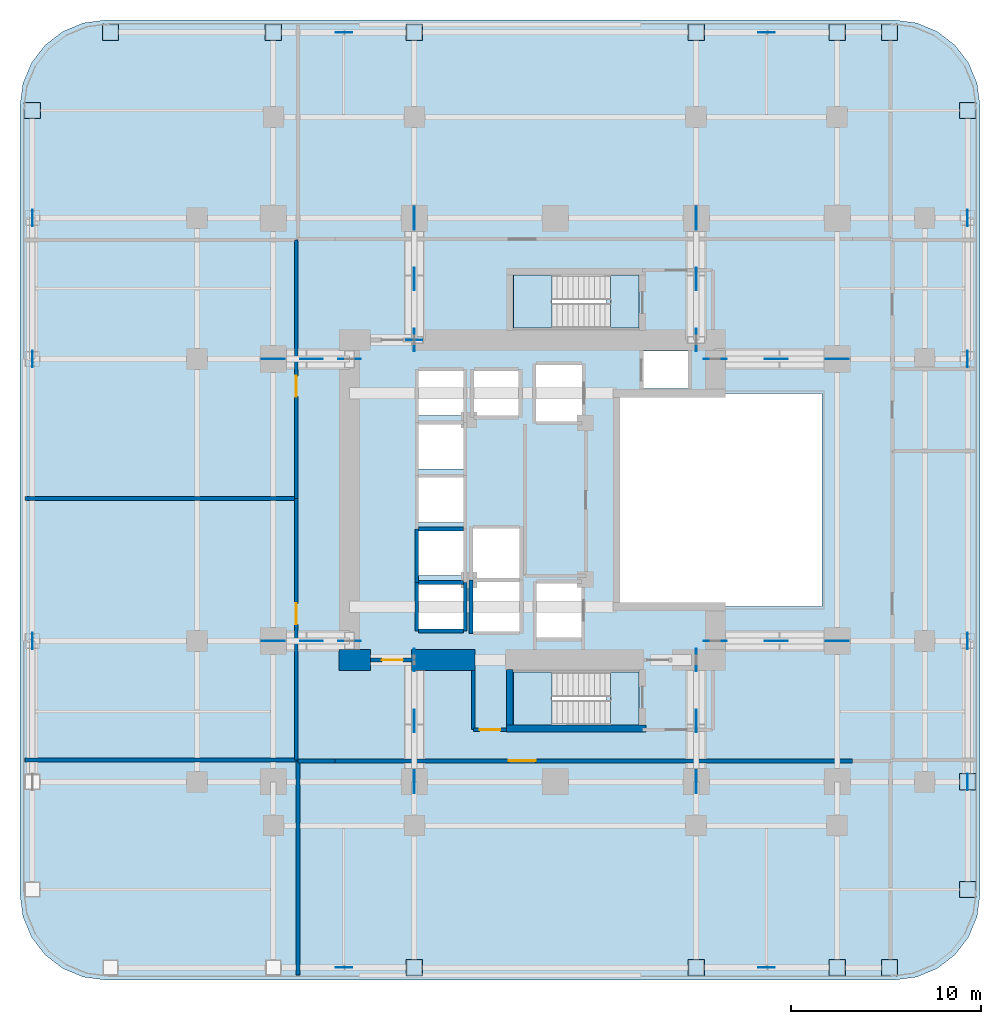
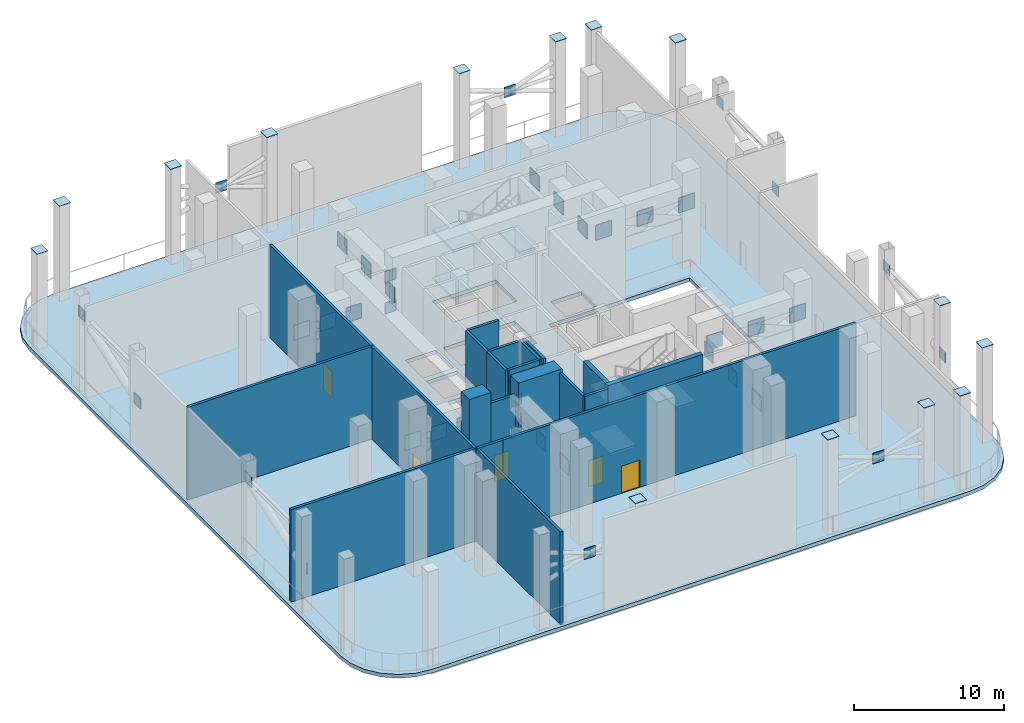
# One storey, part 4 of 11: 53 plates, 21 walls, 7 slabs, 5 doors, 5 openings, 2 elements without a shape of their own.
"""IFC4 building model written with IfcOpenShell, lengths in metres."""

from ifc_helpers import new_model, si_unit, direction, frame, frame_2d, origin, origin_2d, place, context, subcontext, project, spatial, polyline, rectangle, outline, extrude, material, layer, layer_set, type_object, element, fill, aggregate, save


model = new_model("IFC4")

# Units and contexts
model_context = context("Model", 3, precision=1e-05, world=origin(), true_north=direction((0.0, 1.0)))
body_context = subcontext(model_context, "Body", "Model", "MODEL_VIEW")
ifc_project = project(units=[si_unit("LENGTHUNIT", "METRE"), si_unit("AREAUNIT", "SQUARE_METRE"), si_unit("VOLUMEUNIT", "CUBIC_METRE"), si_unit("PLANEANGLEUNIT", "RADIAN"), si_unit("MASSUNIT", "GRAM", prefix="KILO")], contexts=[model_context])

# Site, building, storey
site_placement = place(None, origin())
site = spatial("IfcSite", under=ifc_project, at=site_placement, CompositionType="ELEMENT")
building_placement = place(site_placement, origin())
building = spatial("IfcBuilding", under=site, at=building_placement, Name="Khorvyn Point Tower", CompositionType="ELEMENT")
storey_placement = place(building_placement, frame((0.0, 0.0, 77.39990234375)))
storey = spatial("IfcBuildingStorey", under=building, at=storey_placement, Name="L20", CompositionType="ELEMENT", Elevation=77.39990234375)

# Stair, slabs
ifc_material_1 = material(Name="Concrete C40/50", Category="concrete")
stair_type = type_object("IfcStairType", Name="Tower Concrete C40/50 Dogleg Exit Stair", PredefinedType="HALF_TURN_STAIR", material=ifc_material_1)
stair_1_placement = place(storey_placement, origin())
stair_1 = element("IfcStair", 1, at=stair_1_placement, inside=storey, type_object=stair_type, Name="L20 Tower Smokeproof Exit Stair South", PredefinedType="HALF_TURN_STAIR")
ifc_layer_1 = layer(ifc_material_1, 0.199951171875)
ifc_layer_set_1 = layer_set([ifc_layer_1], Name="Concrete C40/50 Stair Landing Slab 200")
slab_type_1 = type_object("IfcSlabType", Name="Concrete C40/50 Stair Landing Slab 200", PredefinedType="LANDING", material=ifc_layer_set_1)
slab_1_placement = place(storey_placement, frame((0.0, 0.0, 1.75)))
slab_1 = element("IfcSlab", 2, at=slab_1_placement, type_object=slab_type_1, Name="ST-01 landing 1", PredefinedType="LANDING", context=body_context, shape_type="SweptSolid", body=[
    extrude(outline(polyline([(-0.179931640625, -9.02001953125), (-2.199951171875, -9.02001953125), (-2.199951171875, -11.820068359375), (-0.179931640625, -11.820068359375), (-0.179931640625, -9.02001953125)])), origin(), (0.0, 0.0, 1.0), 0.2001953125),
])
slab_2_placement = place(storey_placement, frame((0.0, 0.0, 3.7001953125)))
slab_2 = element("IfcSlab", 3, at=slab_2_placement, type_object=slab_type_1, Name="ST-01 landing 2", PredefinedType="LANDING", context=body_context, shape_type="SweptSolid", body=[
    extrude(outline(polyline([(4.39990234375, -9.02001953125), (2.89990234375, -9.02001953125), (2.89990234375, -11.820068359375), (4.39990234375, -11.820068359375), (4.39990234375, -9.02001953125)])), origin(), (0.0, 0.0, 1.0), 0.199951171875),
])
slab_3_placement = place(storey_placement, frame((0.0, 0.0, 5.650146484375)))
slab_3 = element("IfcSlab", 4, at=slab_3_placement, type_object=slab_type_1, Name="ST-01 landing 3", PredefinedType="LANDING", context=body_context, shape_type="SweptSolid", body=[
    extrude(outline(polyline([(-0.179931640625, -9.02001953125), (-2.199951171875, -9.02001953125), (-2.199951171875, -11.820068359375), (-0.179931640625, -11.820068359375), (-0.179931640625, -9.02001953125)])), origin(), (0.0, 0.0, 1.0), 0.199951171875),
])
aggregate(stair_1, [slab_1, slab_2, slab_3])

stair_2_placement = place(storey_placement, origin())
stair_2 = element("IfcStair", 5, at=stair_2_placement, inside=storey, type_object=stair_type, Name="L20 Tower Smokeproof Exit Stair North", PredefinedType="HALF_TURN_STAIR")
slab_4_placement = place(storey_placement, frame((0.0, 0.0, 1.75)))
slab_4 = element("IfcSlab", 6, at=slab_4_placement, type_object=slab_type_1, Name="ST-02 landing 1", PredefinedType="LANDING", context=body_context, shape_type="SweptSolid", body=[
    extrude(outline(polyline([(-0.179931640625, 11.820068359375), (-2.199951171875, 11.820068359375), (-2.199951171875, 9.02001953125), (-0.179931640625, 9.02001953125), (-0.179931640625, 11.820068359375)])), origin(), (0.0, 0.0, 1.0), 0.2001953125),
])
slab_5_placement = place(storey_placement, frame((0.0, 0.0, 3.7001953125)))
slab_5 = element("IfcSlab", 7, at=slab_5_placement, type_object=slab_type_1, Name="ST-02 landing 2", PredefinedType="LANDING", context=body_context, shape_type="SweptSolid", body=[
    extrude(outline(polyline([(4.39990234375, 11.820068359375), (2.89990234375, 11.820068359375), (2.89990234375, 9.02001953125), (4.39990234375, 9.02001953125), (4.39990234375, 11.820068359375)])), origin(), (0.0, 0.0, 1.0), 0.199951171875),
])
slab_6_placement = place(storey_placement, frame((0.0, 0.0, 5.650146484375)))
slab_6 = element("IfcSlab", 8, at=slab_6_placement, type_object=slab_type_1, Name="ST-02 landing 3", PredefinedType="LANDING", context=body_context, shape_type="SweptSolid", body=[
    extrude(outline(polyline([(-0.179931640625, 11.820068359375), (-2.199951171875, 11.820068359375), (-2.199951171875, 9.02001953125), (-0.179931640625, 9.02001953125), (-0.179931640625, 11.820068359375)])), origin(), (0.0, 0.0, 1.0), 0.199951171875),
])
aggregate(stair_2, [slab_4, slab_5, slab_6])

# Slab
ifc_layer_2 = layer(ifc_material_1, 0.300048828125)
ifc_layer_set_2 = layer_set([ifc_layer_2], Name="Concrete C40/50 Structural Floor Slab 300")
slab_type_2 = type_object("IfcSlabType", Name="Concrete C40/50 Structural Floor Slab 300", PredefinedType="FLOOR", material=ifc_layer_set_2)
slab_7_placement = place(storey_placement, frame((0.0, 0.0, -0.2998046875)))
element("IfcSlab", 9, at=slab_7_placement, inside=storey, type_object=slab_type_2, Name="L20 Main Structural Floor Slab", PredefinedType="FLOOR", context=body_context, shape_type="SweptSolid", body=[
    extrude(outline(polyline([(-23.60009765625, -25.199951171875), (-24.7646484375, -25.046630859375), (-25.85009765625, -24.59716796875), (-26.781982421875, -23.882080078125), (-27.4970703125, -22.949951171875), (-27.94677734375, -21.86474609375), (-28.10009765625, -20.699951171875), (-28.10009765625, 20.699951171875), (-27.94677734375, 21.86474609375), (-27.4970703125, 22.949951171875), (-26.781982421875, 23.882080078125), (-25.85009765625, 24.59716796875), (-24.7646484375, 25.046630859375), (-23.60009765625, 25.199951171875), (17.800048828125, 25.199951171875), (18.964599609375, 25.046630859375), (20.050048828125, 24.59716796875), (20.98193359375, 23.882080078125), (21.697021484375, 22.949951171875), (22.146728515625, 21.86474609375), (22.300048828125, 20.699951171875), (22.300048828125, -20.699951171875), (22.146728515625, -21.86474609375), (21.697021484375, -22.949951171875), (20.98193359375, -23.882080078125), (20.050048828125, -24.59716796875), (18.964599609375, -25.046630859375), (17.800048828125, -25.199951171875), (-23.60009765625, -25.199951171875)]), holes=[polyline([(-4.824951171875, -6.77490234375), (-4.824951171875, -4.425048828125), (-7.175048828125, -4.425048828125), (-7.175048828125, -6.77490234375), (-4.824951171875, -6.77490234375)]), polyline([(-4.324951171875, -6.89990234375), (-1.875, -6.89990234375), (-1.875, -4.300048828125), (-4.324951171875, -4.300048828125), (-4.324951171875, -6.89990234375)]), polyline([(-7.175048828125, -3.97509765625), (-4.824951171875, -3.97509765625), (-4.824951171875, -1.625), (-7.175048828125, -1.625), (-7.175048828125, -3.97509765625)]), polyline([(-7.175048828125, -1.175048828125), (-4.824951171875, -1.175048828125), (-4.824951171875, 1.175048828125), (-7.175048828125, 1.175048828125), (-7.175048828125, -1.175048828125)]), polyline([(-7.175048828125, 1.625), (-4.824951171875, 1.625), (-4.824951171875, 3.97509765625), (-7.175048828125, 3.97509765625), (-7.175048828125, 1.625)]), polyline([(-7.175048828125, 4.425048828125), (-4.824951171875, 4.425048828125), (-4.824951171875, 6.77490234375), (-7.175048828125, 6.77490234375), (-7.175048828125, 4.425048828125)]), polyline([(-4.27490234375, 4.425048828125), (-1.925048828125, 4.425048828125), (-1.925048828125, 6.77490234375), (-4.27490234375, 6.77490234375), (-4.27490234375, 4.425048828125)]), polyline([(2.679931640625, -11.820068359375), (2.679931640625, -9.02001953125), (-2.199951171875, -9.02001953125), (-2.199951171875, -11.820068359375), (2.679931640625, -11.820068359375)]), polyline([(-0.97509765625, -7.22509765625), (1.375, -7.22509765625), (1.375, -4.375), (-0.97509765625, -4.375), (-0.97509765625, -7.22509765625)]), polyline([(-4.324951171875, -4.10009765625), (-1.875, -4.10009765625), (-1.875, -1.5), (-4.324951171875, -1.5), (-4.324951171875, -4.10009765625)]), polyline([(3.199951171875, -5.60009765625), (14.0, -5.60009765625), (14.0, 5.60009765625), (3.199951171875, 5.60009765625), (3.199951171875, -5.60009765625)]), polyline([(-1.0, 4.125), (1.39990234375, 4.125), (1.39990234375, 7.074951171875), (-1.0, 7.074951171875), (-1.0, 4.125)]), polyline([(4.625, 5.85009765625), (6.97509765625, 5.85009765625), (6.97509765625, 7.830078125), (4.625, 7.830078125), (4.625, 5.85009765625)]), polyline([(-2.199951171875, 9.02001953125), (2.679931640625, 9.02001953125), (2.679931640625, 11.820068359375), (-2.199951171875, 11.820068359375), (-2.199951171875, 9.02001953125)])]), origin(), (0.0, 0.0, 1.0), 0.2998046875),
])

# Plates
ifc_material_2 = material(Name="Steel S450", Category="steel")
ifc_layer_3 = layer(ifc_material_2, 0.031982421875)
ifc_layer_set_3 = layer_set([ifc_layer_3], Name="Steel S450 Exoskeleton End Cap Plate 32")
plate_type_1 = type_object("IfcPlateType", Name="Steel S450 Exoskeleton End Cap Plate 32", PredefinedType="USERDEFINED", material=ifc_layer_set_3)
for number, where, z_axis, x_axis, name in (
    (10, (-11.10009765625, -24.550048828125, 4.30517578125), (0.0, 0.0, 1.0), (1.0, 0.0, 0.0), "NP-BT-L20-S1-M"),
    (11, (-11.10009765625, 24.550048828125, 4.30517578125), (0.0, 0.0, 1.0), (1.0, 0.0, 0.0), "NP-BT-L20-N1-M"),
    (12, (11.10009765625, -24.550048828125, 4.30517578125), (0.0, 0.0, 1.0), (1.0, 0.0, 0.0), "NP-BT-L20-S2-M"),
    (13, (11.10009765625, 24.550048828125, 4.30517578125), (0.0, 0.0, 1.0), (1.0, 0.0, 0.0), "NP-BT-L20-N2-M"),
):
    element("IfcPlate", number, at=place(storey_placement, frame(where, z_axis=z_axis, x_axis=x_axis)), inside=storey, type_object=plate_type_1, Name=name, ObjectType="GUSSET", PredefinedType="USERDEFINED", context=body_context, shape_type="SweptSolid", body=[
        extrude(rectangle(XDim=0.860107421875, YDim=0.031982421875, at=origin_2d()), origin(), (0.0, 0.0, 1.0), 0.860107421875),
    ])
for number, where, z_axis, x_axis, name in (
    (14, (-27.449951171875, -7.39990234375, 5.58984375), (0.0, 0.0, 1.0), (1.0, 0.0, 0.0), "NP-EXO-L20-W1"),
    (15, (21.64990234375, -7.39990234375, 5.58984375), (0.0, 0.0, 1.0), (1.0, 0.0, 0.0), "NP-EXO-L20-E1"),
    (16, (21.64990234375, -14.800048828125, 3.02001953125), (0.0, 0.0, 1.0), (1.0, 0.0, 0.0), "NP-EXO-BOT-L20-E1"),
    (17, (-27.449951171875, 14.800048828125, 5.58984375), (0.0, 0.0, 1.0), (1.0, 0.0, 0.0), "NP-EXO-L20-W2"),
    (18, (-27.449951171875, 7.39990234375, 3.02001953125), (0.0, 0.0, 1.0), (1.0, 0.0, 0.0), "NP-EXO-BOT-L20-W2"),
    (19, (21.64990234375, 14.800048828125, 5.58984375), (0.0, 0.0, 1.0), (1.0, 0.0, 0.0), "NP-EXO-L20-E2"),
    (20, (21.64990234375, 7.39990234375, 3.02001953125), (0.0, 0.0, 1.0), (1.0, 0.0, 0.0), "NP-EXO-BOT-L20-E2"),
):
    element("IfcPlate", number, at=place(storey_placement, frame(where, z_axis=z_axis, x_axis=x_axis)), inside=storey, type_object=plate_type_1, Name=name, ObjectType="GUSSET", PredefinedType="USERDEFINED", context=body_context, shape_type="SweptSolid", body=[
        extrude(rectangle(XDim=0.031982421875, YDim=0.860107421875, at=origin_2d()), origin(), (0.0, 0.0, 1.0), 0.860107421875),
    ])
for number, where, z_axis, x_axis, name in (
    (21, (17.550048828125, -24.550048828125, 7.7939453125), (0.0, 0.0, 1.0), (1.0, 0.0, 0.0), "Plate"),
    (22, (-23.35009765625, 24.550048828125, 7.7939453125), (0.0, 0.0, 1.0), (1.0, 0.0, 0.0), "Plate"),
    (23, (17.550048828125, 24.550048828125, 7.7939453125), (0.0, 0.0, 1.0), (1.0, 0.0, 0.0), "Plate"),
    (24, (-27.449951171875, 20.449951171875, 7.7939453125), (0.0, 0.0, 1.0), (1.0, 0.0, 0.0), "Plate"),
    (25, (21.64990234375, -20.449951171875, 7.7939453125), (0.0, 0.0, 1.0), (1.0, 0.0, 0.0), "Plate"),
    (26, (21.64990234375, 20.449951171875, 7.7939453125), (0.0, 0.0, 1.0), (1.0, 0.0, 0.0), "Plate"),
    (27, (-14.800048828125, 24.550048828125, 7.7939453125), (0.0, 0.0, 1.0), (1.0, 0.0, 0.0), "Plate"),
    (28, (-7.39990234375, -24.550048828125, 7.7939453125), (0.0, 0.0, 1.0), (1.0, 0.0, 0.0), "Plate"),
    (29, (-7.39990234375, 24.550048828125, 7.7939453125), (0.0, 0.0, 1.0), (1.0, 0.0, 0.0), "Plate"),
    (30, (7.39990234375, -24.550048828125, 7.7939453125), (0.0, 0.0, 1.0), (1.0, 0.0, 0.0), "Plate"),
    (31, (7.39990234375, 24.550048828125, 7.7939453125), (0.0, 0.0, 1.0), (1.0, 0.0, 0.0), "Plate"),
    (32, (14.800048828125, -24.550048828125, 7.7939453125), (0.0, 0.0, 1.0), (1.0, 0.0, 0.0), "Plate"),
    (33, (14.800048828125, 24.550048828125, 7.7939453125), (0.0, 0.0, 1.0), (1.0, 0.0, 0.0), "Plate"),
    (34, (21.64990234375, -14.800048828125, 7.7939453125), (0.0, 0.0, 1.0), (1.0, 0.0, 0.0), "Plate"),
):
    element("IfcPlate", number, at=place(storey_placement, frame(where, z_axis=z_axis, x_axis=x_axis)), inside=storey, type_object=plate_type_1, Name=name, ObjectType="GUSSET", PredefinedType="USERDEFINED", context=body_context, shape_type="SweptSolid", body=[
        extrude(rectangle(XDim=0.860107421875, YDim=0.860107421875, at=origin_2d()), origin(), (0.0, 0.0, 1.0), 0.031982421875),
    ])
for number, where, z_axis, x_axis, name in (
    (35, (-7.39990234375, -8.389892578125, 3.02001953125), (0.0, 0.0, 1.0), (1.0, 0.0, 0.0), "Plate"),
    (36, (-7.39990234375, -8.389892578125, 5.58984375), (0.0, 0.0, 1.0), (1.0, 0.0, 0.0), "Plate"),
    (37, (-7.39990234375, 8.389892578125, 3.02001953125), (0.0, 0.0, 1.0), (1.0, 0.0, 0.0), "Plate"),
    (38, (-7.39990234375, 8.389892578125, 5.58984375), (0.0, 0.0, 1.0), (1.0, 0.0, 0.0), "Plate"),
):
    element("IfcPlate", number, at=place(storey_placement, frame(where, z_axis=z_axis, x_axis=x_axis)), inside=storey, type_object=plate_type_1, Name=name, ObjectType="GUSSET", PredefinedType="USERDEFINED", context=body_context, shape_type="SweptSolid", body=[
        extrude(rectangle(XDim=0.860107421875, YDim=0.031982421875, at=origin_2d()), origin(), (0.0, 0.0, 1.0), 0.860107421875),
    ])
ifc_layer_4 = layer(ifc_material_2, 0.0400390625)
ifc_layer_set_4 = layer_set([ifc_layer_4], Name="Steel S450 Outrigger Gusset Node Plate 40")
plate_type_2 = type_object("IfcPlateType", Name="Steel S450 Outrigger Gusset Node Plate 40", PredefinedType="USERDEFINED", material=ifc_layer_set_4)
for number, where, z_axis, x_axis, name in (
    (39, (-14.800048828125, -7.39990234375, 4.13525390625), (0.0, 0.0, 1.0), (1.0, 0.0, 0.0), "NP-OT-L20-WS"),
    (40, (-10.800048828125, -7.39990234375, 4.13525390625), (0.0, 0.0, 1.0), (1.0, 0.0, 0.0), "NP-OT-IN-L20-WS"),
    (41, (-12.800048828125, -7.39990234375, 4.13525390625), (0.0, 0.0, 1.0), (1.0, 0.0, 0.0), "NP-OT-MID-L20-WS"),
    (42, (-14.800048828125, 7.39990234375, 4.13525390625), (0.0, 0.0, 1.0), (1.0, 0.0, 0.0), "NP-OT-L20-WN"),
    (43, (-10.800048828125, 7.39990234375, 4.13525390625), (0.0, 0.0, 1.0), (1.0, 0.0, 0.0), "NP-OT-IN-L20-WN"),
    (44, (-12.800048828125, 7.39990234375, 4.13525390625), (0.0, 0.0, 1.0), (1.0, 0.0, 0.0), "NP-OT-MID-L20-WN"),
    (45, (14.800048828125, -7.39990234375, 4.13525390625), (0.0, 0.0, 1.0), (1.0, 0.0, 0.0), "NP-OT-L20-ES"),
    (46, (8.39990234375, -7.39990234375, 4.13525390625), (0.0, 0.0, 1.0), (1.0, 0.0, 0.0), "NP-OT-IN-L20-ES"),
    (47, (11.60009765625, -7.39990234375, 4.13525390625), (0.0, 0.0, 1.0), (1.0, 0.0, 0.0), "NP-OT-MID-L20-ES"),
    (48, (14.800048828125, 7.39990234375, 4.13525390625), (0.0, 0.0, 1.0), (1.0, 0.0, 0.0), "NP-OT-L20-EN"),
    (49, (8.39990234375, 7.39990234375, 4.13525390625), (0.0, 0.0, 1.0), (1.0, 0.0, 0.0), "NP-OT-IN-L20-EN"),
    (50, (11.60009765625, 7.39990234375, 4.13525390625), (0.0, 0.0, 1.0), (1.0, 0.0, 0.0), "NP-OT-MID-L20-EN"),
):
    element("IfcPlate", number, at=place(storey_placement, frame(where, z_axis=z_axis, x_axis=x_axis)), inside=storey, type_object=plate_type_2, Name=name, ObjectType="GUSSET", PredefinedType="USERDEFINED", context=body_context, shape_type="SweptSolid", body=[
        extrude(rectangle(XDim=1.199951171875, YDim=0.0400390625, at=origin_2d()), origin(), (0.0, 0.0, 1.0), 1.199951171875),
    ])
for number, where, z_axis, x_axis, name in (
    (51, (-7.39990234375, -14.800048828125, 4.13525390625), (0.0, 0.0, 1.0), (1.0, 0.0, 0.0), "NP-OT-L20-SW"),
    (52, (-7.39990234375, -8.39990234375, 4.13525390625), (0.0, 0.0, 1.0), (1.0, 0.0, 0.0), "NP-OT-IN-L20-SW"),
    (53, (-7.39990234375, -11.60009765625, 4.13525390625), (0.0, 0.0, 1.0), (1.0, 0.0, 0.0), "NP-OT-MID-L20-SW"),
    (54, (7.39990234375, -14.800048828125, 4.13525390625), (0.0, 0.0, 1.0), (1.0, 0.0, 0.0), "NP-OT-L20-SE"),
    (55, (7.39990234375, -8.39990234375, 4.13525390625), (0.0, 0.0, 1.0), (1.0, 0.0, 0.0), "NP-OT-IN-L20-SE"),
    (56, (7.39990234375, -11.60009765625, 4.13525390625), (0.0, 0.0, 1.0), (1.0, 0.0, 0.0), "NP-OT-MID-L20-SE"),
    (57, (-7.39990234375, 14.800048828125, 4.13525390625), (0.0, 0.0, 1.0), (1.0, 0.0, 0.0), "NP-OT-L20-NW"),
    (58, (-7.39990234375, 8.39990234375, 4.13525390625), (0.0, 0.0, 1.0), (1.0, 0.0, 0.0), "NP-OT-IN-L20-NW"),
    (59, (-7.39990234375, 11.60009765625, 4.13525390625), (0.0, 0.0, 1.0), (1.0, 0.0, 0.0), "NP-OT-MID-L20-NW"),
    (60, (7.39990234375, 14.800048828125, 4.13525390625), (0.0, 0.0, 1.0), (1.0, 0.0, 0.0), "NP-OT-L20-NE"),
    (61, (7.39990234375, 8.39990234375, 4.13525390625), (0.0, 0.0, 1.0), (1.0, 0.0, 0.0), "NP-OT-IN-L20-NE"),
    (62, (7.39990234375, 11.60009765625, 4.13525390625), (0.0, 0.0, 1.0), (1.0, 0.0, 0.0), "NP-OT-MID-L20-NE"),
):
    element("IfcPlate", number, at=place(storey_placement, frame(where, z_axis=z_axis, x_axis=x_axis)), inside=storey, type_object=plate_type_2, Name=name, ObjectType="GUSSET", PredefinedType="USERDEFINED", context=body_context, shape_type="SweptSolid", body=[
        extrude(rectangle(XDim=0.0400390625, YDim=1.199951171875, at=origin_2d()), origin(), (0.0, 0.0, 1.0), 1.199951171875),
    ])

# Wall, opening, door
ifc_layer_5 = layer(ifc_material_1, 0.199951171875)
ifc_layer_set_5 = layer_set([ifc_layer_5], Name="Concrete C40/50 Fire-Lobby Compartment Wall 200")
wall_type_1 = type_object("IfcWallType", Name="Concrete C40/50 Fire-Lobby Compartment Wall 200", PredefinedType="SOLIDWALL", material=ifc_layer_set_5)
wall_1_placement = place(storey_placement, frame((-9.699951171875, -8.39990234375, 0.0), z_axis=(0.0, 0.0, 1.0), x_axis=(1.0, 0.0, 0.0)))
wall_1 = element("IfcWall", 63, at=wall_1_placement, inside=storey, type_object=wall_type_1, Name="Wall", PredefinedType="SOLIDWALL", context=body_context, shape_type="SweptSolid", body=[
    extrude(rectangle(XDim=2.14990234375, YDim=0.199951171875, at=frame_2d((1.074951171875, 0.0))), origin(), (0.0, 0.0, 1.0), 6.56005859375),
])
opening_1_placement = place(wall_1_placement, frame((0.597900390625, 0.0, 0.0)))
opening_1 = element("IfcOpeningElement", 64, at=opening_1_placement, cuts=wall_1, Name="Opening ID-FL90", PredefinedType="OPENING", context=body_context, shape_type="SweptSolid", body=[
    extrude(rectangle(XDim=1.10009765625, YDim=2.14990234375, at=frame_2d((0.550048828125, 1.074951171875))), frame((0.0, 0.10986328125, 0.0), z_axis=(0.0, -1.0, 0.0), x_axis=(1.0, 0.0, 0.0)), (0.0, 0.0, 1.0), 0.219970703125),
])
ifc_material_3 = material(Name="Galvanised powder-coated steel", Category="steel")
door_type_1 = type_object("IfcDoorType", Name="Fire-Rated Steel Lobby and Stair Door 1100x2150", OperationType="NOTDEFINED", PredefinedType="DOOR", material=ifc_material_3)
door_1_placement = place(opening_1_placement, origin())
door_1 = element("IfcDoor", 65, at=door_1_placement, inside=storey, type_object=door_type_1, Name="Door", OperationType="SINGLE_SWING_LEFT", OverallHeight=2.14990234375, OverallWidth=1.10009765625, PredefinedType="DOOR", context=body_context, shape_type="SweptSolid", body=[
    extrude(rectangle(XDim=1.10009765625, YDim=2.14990234375, at=frame_2d((0.550048828125, 1.074951171875))), frame((0.0, 0.02490234375, 0.0), z_axis=(0.0, -1.0, 0.0), x_axis=(1.0, 0.0, 0.0)), (0.0, 0.0, 1.0), 0.050048828125),
])
fill(opening_1, door_1)

wall_2_placement = place(storey_placement, frame((-4.300048828125, -12.06005859375, 0.0), z_axis=(0.0, 0.0, 1.0), x_axis=(1.0, 0.0, 0.0)))
wall_2 = element("IfcWall", 66, at=wall_2_placement, inside=storey, type_object=wall_type_1, Name="Wall", PredefinedType="SOLIDWALL", context=body_context, shape_type="SweptSolid", body=[
    extrude(rectangle(XDim=1.75, YDim=0.199951171875, at=frame_2d((0.875, 0.0))), origin(), (0.0, 0.0, 1.0), 7.52001953125),
])
opening_2_placement = place(wall_2_placement, frame((0.324951171875, 0.0, 0.0)))
opening_2 = element("IfcOpeningElement", 67, at=opening_2_placement, cuts=wall_2, Name="Opening ID-FL90", PredefinedType="OPENING", context=body_context, shape_type="SweptSolid", body=[
    extrude(rectangle(XDim=1.10009765625, YDim=2.14990234375, at=frame_2d((0.550048828125, 1.074951171875))), frame((0.0, 0.10986328125, 0.0), z_axis=(0.0, -1.0, 0.0), x_axis=(1.0, 0.0, 0.0)), (0.0, 0.0, 1.0), 0.219970703125),
])
door_2_placement = place(opening_2_placement, origin())
door_2 = element("IfcDoor", 68, at=door_2_placement, inside=storey, type_object=door_type_1, Name="Door", OperationType="SINGLE_SWING_LEFT", OverallHeight=2.14990234375, OverallWidth=1.10009765625, PredefinedType="DOOR", context=body_context, shape_type="SweptSolid", body=[
    extrude(rectangle(XDim=1.10009765625, YDim=2.14990234375, at=frame_2d((0.550048828125, 1.074951171875))), frame((0.0, 0.02490234375, 0.0), z_axis=(0.0, -1.0, 0.0), x_axis=(1.0, 0.0, 0.0)), (0.0, 0.0, 1.0), 0.050048828125),
])
fill(opening_2, door_2)

wall_3_placement = place(storey_placement, frame((-11.550048828125, -13.699951171875, 0.0), z_axis=(0.0, 0.0, 1.0), x_axis=(1.0, 0.0, 0.0)))
wall_3 = element("IfcWall", 69, at=wall_3_placement, inside=storey, type_object=wall_type_1, Name="Wall", PredefinedType="SOLIDWALL", context=body_context, shape_type="SweptSolid", body=[
    extrude(rectangle(XDim=27.150146484375, YDim=0.199951171875, at=frame_2d((13.5751953125, 0.0))), origin(), (0.0, 0.0, 1.0), 7.52001953125),
])
opening_3_placement = place(wall_3_placement, frame((9.1142578125, 0.0, 0.0)))
opening_3 = element("IfcOpeningElement", 70, at=opening_3_placement, cuts=wall_3, Name="Opening ID-PL90", PredefinedType="OPENING", context=body_context, shape_type="SweptSolid", body=[
    extrude(rectangle(XDim=1.39990234375, YDim=2.199951171875, at=frame_2d((0.699951171875, 1.10009765625))), frame((0.0, 0.10986328125, 0.0), z_axis=(0.0, -1.0, 0.0), x_axis=(1.0, 0.0, 0.0)), (0.0, 0.0, 1.0), 0.219970703125),
])
door_type_2 = type_object("IfcDoorType", Name="Double-Leaf Acoustic Steel Plant Room Door 1400x2200", OperationType="DOUBLE_DOOR_SINGLE_SWING", PredefinedType="DOOR", material=ifc_material_3)
door_3_placement = place(opening_3_placement, origin())
door_3 = element("IfcDoor", 71, at=door_3_placement, inside=storey, type_object=door_type_2, Name="Door", OperationType="SINGLE_SWING_LEFT", OverallHeight=2.199951171875, OverallWidth=1.39990234375, PredefinedType="DOOR", context=body_context, shape_type="SweptSolid", body=[
    extrude(rectangle(XDim=1.39990234375, YDim=2.199951171875, at=frame_2d((0.699951171875, 1.10009765625))), frame((0.0, 0.02490234375, 0.0), z_axis=(0.0, -1.0, 0.0), x_axis=(1.0, 0.0, 0.0)), (0.0, 0.0, 1.0), 0.050048828125),
])
fill(opening_3, door_3)

wall_4_placement = place(storey_placement, frame((-13.60009765625, -13.64990234375, 0.0), z_axis=(0.0, 0.0, 1.0), x_axis=(0.0, 1.0, 0.0)))
wall_4 = element("IfcWall", 72, at=wall_4_placement, inside=storey, type_object=wall_type_1, Name="Wall", PredefinedType="SOLIDWALL", context=body_context, shape_type="SweptSolid", body=[
    extrude(rectangle(XDim=13.72998046875, YDim=0.199951171875, at=frame_2d((6.864990234375, 0.0))), origin(), (0.0, 0.0, 1.0), 7.52001953125),
])
opening_4_placement = place(wall_4_placement, frame((7.117919921875, 0.0, 0.0)))
opening_4 = element("IfcOpeningElement", 73, at=opening_4_placement, cuts=wall_4, Name="Opening ID-FL90", PredefinedType="OPENING", context=body_context, shape_type="SweptSolid", body=[
    extrude(rectangle(XDim=1.10009765625, YDim=2.14990234375, at=frame_2d((0.550048828125, 1.074951171875))), frame((0.0, 0.10986328125, 0.0), z_axis=(0.0, -1.0, 0.0), x_axis=(1.0, 0.0, 0.0)), (0.0, 0.0, 1.0), 0.219970703125),
])
door_4_placement = place(opening_4_placement, origin())
door_4 = element("IfcDoor", 74, at=door_4_placement, inside=storey, type_object=door_type_1, Name="Door", OperationType="SINGLE_SWING_LEFT", OverallHeight=2.14990234375, OverallWidth=1.10009765625, PredefinedType="DOOR", context=body_context, shape_type="SweptSolid", body=[
    extrude(rectangle(XDim=1.10009765625, YDim=2.14990234375, at=frame_2d((0.550048828125, 1.074951171875))), frame((0.0, 0.02490234375, 0.0), z_axis=(0.0, -1.0, 0.0), x_axis=(1.0, 0.0, 0.0)), (0.0, 0.0, 1.0), 0.050048828125),
])
fill(opening_4, door_4)

wall_5_placement = place(storey_placement, frame((-13.60009765625, 0.080078125, 0.0), z_axis=(0.0, 0.0, 1.0), x_axis=(0.0, 1.0, 0.0)))
wall_5 = element("IfcWall", 75, at=wall_5_placement, inside=storey, type_object=wall_type_1, Name="Wall", PredefinedType="SOLIDWALL", context=body_context, shape_type="SweptSolid", body=[
    extrude(rectangle(XDim=13.56982421875, YDim=0.199951171875, at=frame_2d((6.784912109375, 0.0))), origin(), (0.0, 0.0, 1.0), 7.52001953125),
])
opening_5_placement = place(wall_5_placement, frame((5.341552734375, 0.0, 0.0)))
opening_5 = element("IfcOpeningElement", 76, at=opening_5_placement, cuts=wall_5, Name="Opening ID-FL90", PredefinedType="OPENING", context=body_context, shape_type="SweptSolid", body=[
    extrude(rectangle(XDim=1.10009765625, YDim=2.14990234375, at=frame_2d((0.550048828125, 1.074951171875))), frame((0.0, 0.10986328125, 0.0), z_axis=(0.0, -1.0, 0.0), x_axis=(1.0, 0.0, 0.0)), (0.0, 0.0, 1.0), 0.219970703125),
])
door_5_placement = place(opening_5_placement, origin())
door_5 = element("IfcDoor", 77, at=door_5_placement, inside=storey, type_object=door_type_1, Name="Door", OperationType="SINGLE_SWING_RIGHT", OverallHeight=2.14990234375, OverallWidth=1.10009765625, PredefinedType="DOOR", context=body_context, shape_type="SweptSolid", body=[
    extrude(rectangle(XDim=1.10009765625, YDim=2.14990234375, at=frame_2d((0.550048828125, 1.074951171875))), frame((0.0, 0.02490234375, 0.0), z_axis=(0.0, -1.0, 0.0), x_axis=(1.0, 0.0, 0.0)), (0.0, 0.0, 1.0), 0.050048828125),
])
fill(opening_5, door_5)

# Walls
wall_6_placement = place(storey_placement, frame((-4.300048828125, -12.06005859375, 0.0), z_axis=(0.0, 0.0, 1.0), x_axis=(0.0, 1.0, 0.0)))
element("IfcWall", 78, at=wall_6_placement, inside=storey, type_object=wall_type_1, Name="Wall", PredefinedType="SOLIDWALL", context=body_context, shape_type="SweptSolid", body=[
    extrude(rectangle(XDim=3.110107421875, YDim=0.199951171875, at=frame_2d((1.55517578125, 0.0))), origin(), (0.0, 0.0, 1.0), 7.52001953125),
])
wall_7_placement = place(storey_placement, frame((-13.5, -13.699951171875, 0.0), z_axis=(0.0, 0.0, 1.0), x_axis=(1.0, 0.0, 0.0)))
element("IfcWall", 79, at=wall_7_placement, inside=storey, type_object=wall_type_1, Name="Wall", PredefinedType="SOLIDWALL", context=body_context, shape_type="SweptSolid", body=[
    extrude(rectangle(XDim=1.949951171875, YDim=0.199951171875, at=frame_2d((0.97509765625, 0.0))), origin(), (0.0, 0.0, 1.0), 7.52001953125),
])
wall_8_placement = place(storey_placement, frame((-13.5, -24.949951171875, 0.0), z_axis=(0.0, 0.0, 1.0), x_axis=(0.0, 1.0, 0.0)))
element("IfcWall", 80, at=wall_8_placement, inside=storey, type_object=wall_type_1, Name="Wall", PredefinedType="SOLIDWALL", context=body_context, shape_type="SweptSolid", body=[
    extrude(rectangle(XDim=11.25, YDim=0.199951171875, at=frame_2d((5.625, 0.0))), origin(), (0.0, 0.0, 1.0), 7.52001953125),
])
for number, where, z_axis, x_axis, name in (
    (81, (-27.85009765625, -13.64990234375, 0.0), (0.0, 0.0, 1.0), (1.0, 0.0, 0.0), "Wall"),
    (82, (-27.85009765625, 0.080078125, 0.0), (0.0, 0.0, 1.0), (1.0, 0.0, 0.0), "Wall"),
):
    element("IfcWall", number, at=place(storey_placement, frame(where, z_axis=z_axis, x_axis=x_axis)), inside=storey, type_object=wall_type_1, Name=name, PredefinedType="SOLIDWALL", context=body_context, shape_type="SweptSolid", body=[
        extrude(rectangle(XDim=14.25, YDim=0.199951171875, at=frame_2d((7.125, 0.0))), origin(), (0.0, 0.0, 1.0), 7.52001953125),
    ])
ifc_layer_6 = layer(ifc_material_1, 0.35009765625)
ifc_layer_set_6 = layer_set([ifc_layer_6], Name="Concrete C40/50 Stair Shaft Structural Wall 350")
wall_type_2 = type_object("IfcWallType", Name="Concrete C40/50 Stair Shaft Structural Wall 350", PredefinedType="SHEAR", material=ifc_layer_set_6)
wall_9_placement = place(storey_placement, frame((-2.554931640625, -12.0, 0.0), z_axis=(0.0, 0.0, 1.0), x_axis=(1.0, 0.0, 0.0)))
element("IfcWall", 83, at=wall_9_placement, inside=storey, type_object=wall_type_2, Name="L20 ST-01 South Shaft Wall", PredefinedType="SHEAR", context=body_context, shape_type="SweptSolid", body=[
    extrude(rectangle(XDim=7.309814453125, YDim=0.35009765625, at=frame_2d((3.65478515625, 0.0))), origin(), (0.0, 0.0, 1.0), 7.800048828125),
])
wall_10_placement = place(storey_placement, frame((-2.3798828125, -11.824951171875, 0.0), z_axis=(0.0, 0.0, 1.0), x_axis=(0.0, 1.0, 0.0)))
element("IfcWall", 84, at=wall_10_placement, inside=storey, type_object=wall_type_2, Name="L20 ST-01 West Shaft Wall", PredefinedType="SHEAR", context=body_context, shape_type="SweptSolid", body=[
    extrude(rectangle(XDim=2.925048828125, YDim=0.35009765625, at=frame_2d((1.46240234375, 0.0))), origin(), (0.0, 0.0, 1.0), 7.800048828125),
])
ifc_layer_7 = layer(ifc_material_1, 0.199951171875)
ifc_layer_set_7 = layer_set([ifc_layer_7], Name="Concrete C40/50 Structural Hoistway and Stair Shaft Wall 200")
wall_type_3 = type_object("IfcWallType", Name="Concrete C40/50 Structural Hoistway and Stair Shaft Wall 200", PredefinedType="SHEAR", material=ifc_layer_set_7)
for number, where, z_axis, x_axis, name in (
    (85, (-7.27490234375, -6.875, 0.0), (0.0, 0.0, 1.0), (0.0, 1.0, 0.0), "Wall"),
    (86, (-4.72509765625, -6.875, 0.0), (0.0, 0.0, 1.0), (0.0, 1.0, 0.0), "Wall"),
):
    element("IfcWall", number, at=place(storey_placement, frame(where, z_axis=z_axis, x_axis=x_axis)), inside=storey, type_object=wall_type_3, Name=name, PredefinedType="SHEAR", context=body_context, shape_type="SweptSolid", body=[
        extrude(rectangle(XDim=2.550048828125, YDim=0.199951171875, at=frame_2d((1.27490234375, 0.0))), origin(), (0.0, 0.0, 1.0), 7.52001953125),
    ])
for number, where, z_axis, x_axis, name in (
    (87, (-7.175048828125, -6.875, 0.0), (0.0, 0.0, 1.0), (1.0, 0.0, 0.0), "Wall"),
    (88, (-7.175048828125, -4.324951171875, 0.0), (0.0, 0.0, 1.0), (1.0, 0.0, 0.0), "Wall"),
):
    element("IfcWall", number, at=place(storey_placement, frame(where, z_axis=z_axis, x_axis=x_axis)), inside=storey, type_object=wall_type_3, Name=name, PredefinedType="SHEAR", context=body_context, shape_type="SweptSolid", body=[
        extrude(rectangle(XDim=2.35009765625, YDim=0.199951171875, at=frame_2d((1.175048828125, 0.0))), origin(), (0.0, 0.0, 1.0), 7.52001953125),
    ])
wall_11_placement = place(storey_placement, frame((-7.27490234375, -4.324951171875, 0.0), z_axis=(0.0, 0.0, 1.0), x_axis=(0.0, 1.0, 0.0)))
element("IfcWall", 89, at=wall_11_placement, inside=storey, type_object=wall_type_3, Name="Wall", PredefinedType="SHEAR", context=body_context, shape_type="SweptSolid", body=[
    extrude(rectangle(XDim=2.800048828125, YDim=0.199951171875, at=frame_2d((1.39990234375, 0.0))), origin(), (0.0, 0.0, 1.0), 7.52001953125),
])
wall_12_placement = place(storey_placement, frame((-7.175048828125, -1.52490234375, 0.0), z_axis=(0.0, 0.0, 1.0), x_axis=(1.0, 0.0, 0.0)))
element("IfcWall", 90, at=wall_12_placement, inside=storey, type_object=wall_type_3, Name="Wall", PredefinedType="SHEAR", context=body_context, shape_type="SweptSolid", body=[
    extrude(rectangle(XDim=2.35009765625, YDim=0.199951171875, at=frame_2d((1.175048828125, 0.0))), origin(), (0.0, 0.0, 1.0), 7.52001953125),
])
wall_13_placement = place(storey_placement, frame((-4.425048828125, -7.0, 0.0), z_axis=(0.0, 0.0, 1.0), x_axis=(0.0, 1.0, 0.0)))
element("IfcWall", 91, at=wall_13_placement, inside=storey, type_object=wall_type_3, Name="Wall", PredefinedType="SHEAR", context=body_context, shape_type="SweptSolid", body=[
    extrude(rectangle(XDim=2.800048828125, YDim=0.199951171875, at=frame_2d((1.39990234375, 0.0))), origin(), (0.0, 0.0, 1.0), 7.52001953125),
])
ifc_material_4 = material(Name="Concrete C50/60", Category="concrete")
ifc_layer_8 = layer(ifc_material_4, 1.10009765625)
ifc_layer_set_8 = layer_set([ifc_layer_8], Name="Concrete C50/60 Core Shear Wall 1100")
wall_type_4 = type_object("IfcWallType", Name="Concrete C50/60 Core Shear Wall 1100", PredefinedType="SHEAR", material=ifc_layer_set_8)
wall_14_placement = place(storey_placement, frame((-11.35009765625, -8.39990234375, 0.0), z_axis=(0.0, 0.0, 1.0), x_axis=(1.0, 0.0, 0.0)))
element("IfcWall", 92, at=wall_14_placement, inside=storey, type_object=wall_type_4, Name="Wall", PredefinedType="SHEAR", context=body_context, shape_type="SweptSolid", body=[
    extrude(rectangle(XDim=1.650146484375, YDim=1.10009765625, at=frame_2d((0.8251953125, 0.0))), origin(), (0.0, 0.0, 1.0), 7.800048828125),
])
wall_15_placement = place(storey_placement, frame((-7.550048828125, -8.39990234375, 0.0), z_axis=(0.0, 0.0, 1.0), x_axis=(1.0, 0.0, 0.0)))
element("IfcWall", 93, at=wall_15_placement, inside=storey, type_object=wall_type_4, Name="Wall", PredefinedType="SHEAR", context=body_context, shape_type="SweptSolid", body=[
    extrude(rectangle(XDim=3.35009765625, YDim=1.10009765625, at=frame_2d((1.675048828125, 0.0))), origin(), (0.0, 0.0, 1.0), 7.800048828125),
])

save(model, "model.ifc")
